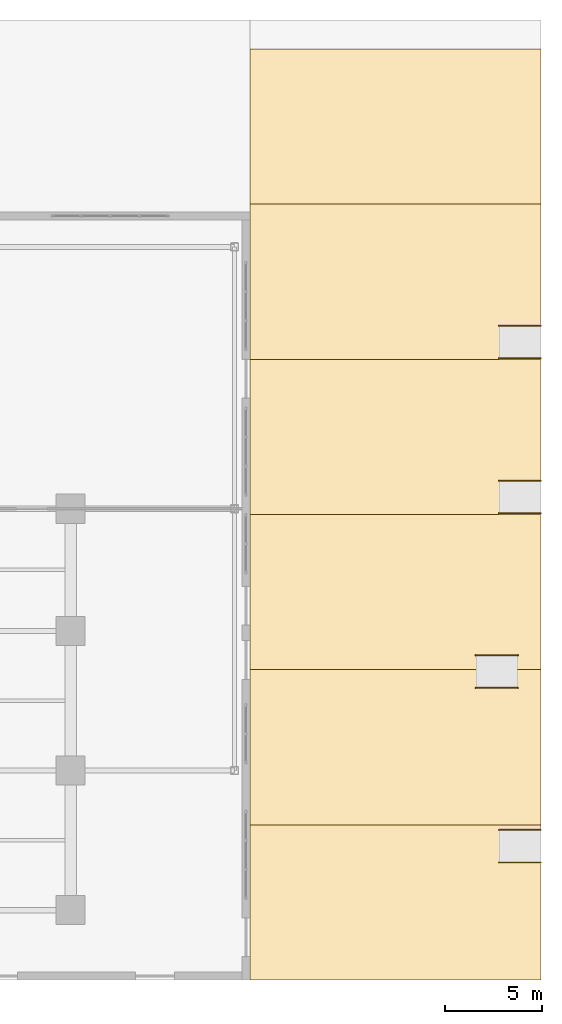
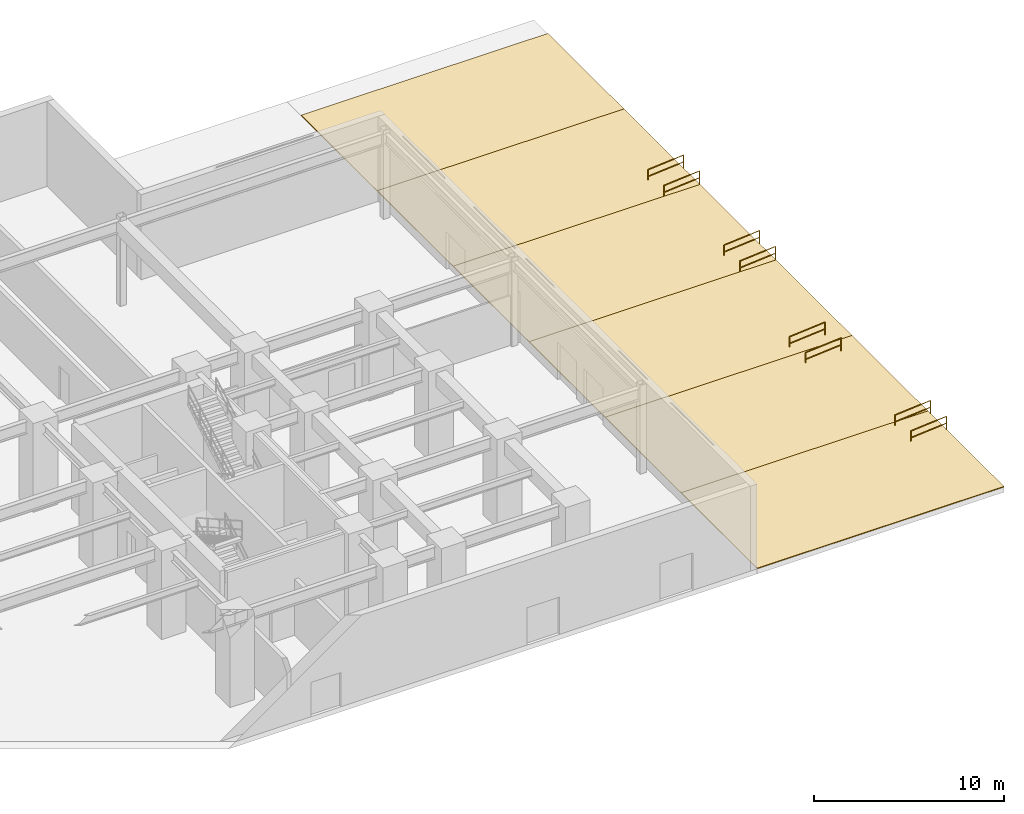
# One storey, part 17 of 18: 8 railings, 6 coverings.
"""IFC4 building model written with IfcOpenShell, lengths in metres."""

from ifc_helpers import new_model, entity, si_unit, converted_unit, direction, frame, origin_with_axes, origin_2d_with_axis, place, context, subcontext, project, spatial, polyline, rectangle, circle, outline, extrude, material, layer, layer_set, type_object, element, save


model = new_model("IFC4")

# Units and contexts
model_context = context("Model", 3, precision=1e-05, world=origin_with_axes(), true_north=direction((0.0, 1.0)))
body_context = subcontext(model_context, "Body", "Model", "MODEL_VIEW")
ifc_project = project(units=[si_unit("LENGTHUNIT", "METRE"), si_unit("AREAUNIT", "SQUARE_METRE"), si_unit("VOLUMEUNIT", "CUBIC_METRE"), converted_unit("PLANEANGLEUNIT", "DEGREE", entity("IfcPlaneAngleMeasure", 0.017453292519943295), si_unit("PLANEANGLEUNIT", "RADIAN"), dimensions=[0, 0, 0, 0, 0, 0, 0]), si_unit("MASSUNIT", "GRAM", prefix="KILO"), si_unit("THERMODYNAMICTEMPERATUREUNIT", "KELVIN")], contexts=[model_context])

# Site, building, storey
site_placement = place(None, origin_with_axes())
site = spatial("IfcSite", under=ifc_project, at=site_placement, CompositionType="ELEMENT")
building_placement = place(site_placement, origin_with_axes())
building = spatial("IfcBuilding", under=site, at=building_placement, Name="Varnlund Millrace Tower", CompositionType="ELEMENT")
storey_placement = place(building_placement, origin_with_axes())
storey = spatial("IfcBuildingStorey", under=building, at=storey_placement, Name="L00", CompositionType="ELEMENT", Elevation=0.0)

# Coverings
ifc_material_1 = material(Name="Cold-climate flamed Minnesota granite paving", Category="masonry")
ifc_layer = layer(ifc_material_1, 0.05, Name="Cold-climate flamed Minnesota granite paving")
ifc_layer_set = layer_set([ifc_layer], Name="Cold-climate flamed Minnesota granite paving")
covering_type = type_object("IfcCoveringType", Name="Type-Plaza-Granite-Paving-50", PredefinedType="USERDEFINED", material=ifc_layer_set)
covering_1_placement = place(storey_placement, origin_with_axes())
element("IfcCovering", 1, at=covering_1_placement, inside=storey, type_object=covering_type, Name="Type-Plaza-Granite-Paving-50", ObjectType="PAVING", PredefinedType="USERDEFINED", context=body_context, shape_type="SweptSolid", body=[
    extrude(outline(polyline([(83.4, 0.0), (83.4, 8.0), (68.4, 8.0), (68.4, 0.0), (83.4, 0.0)])), origin_with_axes(), (0.0, 0.0, 1.0), 0.05),
])
covering_2_placement = place(storey_placement, origin_with_axes())
element("IfcCovering", 2, at=covering_2_placement, inside=storey, type_object=covering_type, Name="Type-Plaza-Granite-Paving-50", ObjectType="PAVING", PredefinedType="USERDEFINED", context=body_context, shape_type="SweptSolid", body=[
    extrude(outline(polyline([(83.4, 8.0), (83.4, 16.0), (68.4, 16.0), (68.4, 8.0), (83.4, 8.0)])), origin_with_axes(), (0.0, 0.0, 1.0), 0.05),
])
covering_3_placement = place(storey_placement, origin_with_axes())
element("IfcCovering", 3, at=covering_3_placement, inside=storey, type_object=covering_type, Name="Type-Plaza-Granite-Paving-50", ObjectType="PAVING", PredefinedType="USERDEFINED", context=body_context, shape_type="SweptSolid", body=[
    extrude(outline(polyline([(83.4, 16.0), (83.4, 24.0), (68.4, 24.0), (68.4, 16.0), (83.4, 16.0)])), origin_with_axes(), (0.0, 0.0, 1.0), 0.05),
])
covering_4_placement = place(storey_placement, origin_with_axes())
element("IfcCovering", 4, at=covering_4_placement, inside=storey, type_object=covering_type, Name="Type-Plaza-Granite-Paving-50", ObjectType="PAVING", PredefinedType="USERDEFINED", context=body_context, shape_type="SweptSolid", body=[
    extrude(outline(polyline([(83.4, 24.0), (83.4, 32.0), (68.4, 32.0), (68.4, 24.0), (83.4, 24.0)])), origin_with_axes(), (0.0, 0.0, 1.0), 0.05),
])
covering_5_placement = place(storey_placement, origin_with_axes())
element("IfcCovering", 5, at=covering_5_placement, inside=storey, type_object=covering_type, Name="Type-Plaza-Granite-Paving-50", ObjectType="PAVING", PredefinedType="USERDEFINED", context=body_context, shape_type="SweptSolid", body=[
    extrude(outline(polyline([(83.4, 32.0), (83.4, 40.0), (68.4, 40.0), (68.4, 32.0), (83.4, 32.0)])), origin_with_axes(), (0.0, 0.0, 1.0), 0.05),
])
covering_6_placement = place(storey_placement, origin_with_axes())
element("IfcCovering", 6, at=covering_6_placement, inside=storey, type_object=covering_type, Name="Type-Plaza-Granite-Paving-50", ObjectType="PAVING", PredefinedType="USERDEFINED", context=body_context, shape_type="SweptSolid", body=[
    extrude(outline(polyline([(83.4, 40.0), (83.4, 48.0), (68.4, 48.0), (68.4, 40.0), (83.4, 40.0)])), origin_with_axes(), (0.0, 0.0, 1.0), 0.05),
])

# Railings
ifc_material_2 = material(Name="Brushed architectural bronze stair handrail", Category="aluminium")
railing_type = type_object("IfcRailingType", Name="Type-StairHandrail-900", PredefinedType="HANDRAIL", material=ifc_material_2)
railing_1_placement = place(storey_placement, origin_with_axes())
element("IfcRailing", 7, at=railing_1_placement, inside=storey, type_object=railing_type, Name="Type-StairHandrail-900", PredefinedType="HANDRAIL", context=body_context, shape_type="SweptSolid", body=[
    extrude(circle(Radius=0.024, at=origin_2d_with_axis()), frame((81.24, 6.06, 0.696083), z_axis=(0.996546, 0.0, 0.083045), x_axis=(0.0, 1.0, 0.0)), (0.0, 0.0, 1.0), 2.167487),
    extrude(circle(Radius=0.024, at=origin_2d_with_axis()), frame((81.24, 6.06, 0.258041), z_axis=(0.996546, 0.0, 0.083045), x_axis=(0.0, 1.0, 0.0)), (0.0, 0.0, 1.0), 2.167487),
    extrude(rectangle(XDim=0.04, YDim=0.04, at=origin_2d_with_axis()), frame((81.24, 6.06, -0.22), z_axis=(0.0, 0.0, 1.0), x_axis=(1.0, 0.0, 0.0)), (0.0, 0.0, 1.0), 0.916083),
    extrude(rectangle(XDim=0.04, YDim=0.04, at=origin_2d_with_axis()), frame((83.4, 6.06, -0.04), z_axis=(0.0, 0.0, 1.0), x_axis=(1.0, 0.0, 0.0)), (0.0, 0.0, 1.0), 0.916083),
])
railing_2_placement = place(storey_placement, origin_with_axes())
element("IfcRailing", 8, at=railing_2_placement, inside=storey, type_object=railing_type, Name="Type-StairHandrail-900", PredefinedType="HANDRAIL", context=body_context, shape_type="SweptSolid", body=[
    extrude(circle(Radius=0.024, at=origin_2d_with_axis()), frame((81.24, 7.74, 0.696083), z_axis=(0.996546, 0.0, 0.083045), x_axis=(0.0, 1.0, 0.0)), (0.0, 0.0, 1.0), 2.167487),
    extrude(circle(Radius=0.024, at=origin_2d_with_axis()), frame((81.24, 7.74, 0.258041), z_axis=(0.996546, 0.0, 0.083045), x_axis=(0.0, 1.0, 0.0)), (0.0, 0.0, 1.0), 2.167487),
    extrude(rectangle(XDim=0.04, YDim=0.04, at=origin_2d_with_axis()), frame((81.24, 7.74, -0.22), z_axis=(0.0, 0.0, 1.0), x_axis=(1.0, 0.0, 0.0)), (0.0, 0.0, 1.0), 0.916083),
    extrude(rectangle(XDim=0.04, YDim=0.04, at=origin_2d_with_axis()), frame((83.4, 7.74, -0.04), z_axis=(0.0, 0.0, 1.0), x_axis=(1.0, 0.0, 0.0)), (0.0, 0.0, 1.0), 0.916083),
])
railing_3_placement = place(storey_placement, origin_with_axes())
element("IfcRailing", 9, at=railing_3_placement, inside=storey, type_object=railing_type, Name="Type-StairHandrail-900", PredefinedType="HANDRAIL", context=body_context, shape_type="SweptSolid", body=[
    extrude(circle(Radius=0.024, at=origin_2d_with_axis()), frame((81.24, 24.06, 0.696083), z_axis=(0.996546, 0.0, 0.083045), x_axis=(0.0, 1.0, 0.0)), (0.0, 0.0, 1.0), 2.167487),
    extrude(circle(Radius=0.024, at=origin_2d_with_axis()), frame((81.24, 24.06, 0.258041), z_axis=(0.996546, 0.0, 0.083045), x_axis=(0.0, 1.0, 0.0)), (0.0, 0.0, 1.0), 2.167487),
    extrude(rectangle(XDim=0.04, YDim=0.04, at=origin_2d_with_axis()), frame((81.24, 24.06, -0.22), z_axis=(0.0, 0.0, 1.0), x_axis=(1.0, 0.0, 0.0)), (0.0, 0.0, 1.0), 0.916083),
    extrude(rectangle(XDim=0.04, YDim=0.04, at=origin_2d_with_axis()), frame((83.4, 24.06, -0.04), z_axis=(0.0, 0.0, 1.0), x_axis=(1.0, 0.0, 0.0)), (0.0, 0.0, 1.0), 0.916083),
])
railing_4_placement = place(storey_placement, origin_with_axes())
element("IfcRailing", 10, at=railing_4_placement, inside=storey, type_object=railing_type, Name="Type-StairHandrail-900", PredefinedType="HANDRAIL", context=body_context, shape_type="SweptSolid", body=[
    extrude(circle(Radius=0.024, at=origin_2d_with_axis()), frame((81.24, 25.74, 0.696083), z_axis=(0.996546, 0.0, 0.083045), x_axis=(0.0, 1.0, 0.0)), (0.0, 0.0, 1.0), 2.167487),
    extrude(circle(Radius=0.024, at=origin_2d_with_axis()), frame((81.24, 25.74, 0.258041), z_axis=(0.996546, 0.0, 0.083045), x_axis=(0.0, 1.0, 0.0)), (0.0, 0.0, 1.0), 2.167487),
    extrude(rectangle(XDim=0.04, YDim=0.04, at=origin_2d_with_axis()), frame((81.24, 25.74, -0.22), z_axis=(0.0, 0.0, 1.0), x_axis=(1.0, 0.0, 0.0)), (0.0, 0.0, 1.0), 0.916083),
    extrude(rectangle(XDim=0.04, YDim=0.04, at=origin_2d_with_axis()), frame((83.4, 25.74, -0.04), z_axis=(0.0, 0.0, 1.0), x_axis=(1.0, 0.0, 0.0)), (0.0, 0.0, 1.0), 0.916083),
])
railing_5_placement = place(storey_placement, origin_with_axes())
element("IfcRailing", 11, at=railing_5_placement, inside=storey, type_object=railing_type, Name="Type-StairHandrail-900", PredefinedType="HANDRAIL", context=body_context, shape_type="SweptSolid", body=[
    extrude(circle(Radius=0.024, at=origin_2d_with_axis()), frame((81.24, 32.06, 0.696083), z_axis=(0.996546, 0.0, 0.083045), x_axis=(0.0, 1.0, 0.0)), (0.0, 0.0, 1.0), 2.167487),
    extrude(circle(Radius=0.024, at=origin_2d_with_axis()), frame((81.24, 32.06, 0.258041), z_axis=(0.996546, 0.0, 0.083045), x_axis=(0.0, 1.0, 0.0)), (0.0, 0.0, 1.0), 2.167487),
    extrude(rectangle(XDim=0.04, YDim=0.04, at=origin_2d_with_axis()), frame((81.24, 32.06, -0.22), z_axis=(0.0, 0.0, 1.0), x_axis=(1.0, 0.0, 0.0)), (0.0, 0.0, 1.0), 0.916083),
    extrude(rectangle(XDim=0.04, YDim=0.04, at=origin_2d_with_axis()), frame((83.4, 32.06, -0.04), z_axis=(0.0, 0.0, 1.0), x_axis=(1.0, 0.0, 0.0)), (0.0, 0.0, 1.0), 0.916083),
])
railing_6_placement = place(storey_placement, origin_with_axes())
element("IfcRailing", 12, at=railing_6_placement, inside=storey, type_object=railing_type, Name="Type-StairHandrail-900", PredefinedType="HANDRAIL", context=body_context, shape_type="SweptSolid", body=[
    extrude(circle(Radius=0.024, at=origin_2d_with_axis()), frame((81.24, 33.74, 0.696083), z_axis=(0.996546, 0.0, 0.083045), x_axis=(0.0, 1.0, 0.0)), (0.0, 0.0, 1.0), 2.167487),
    extrude(circle(Radius=0.024, at=origin_2d_with_axis()), frame((81.24, 33.74, 0.258041), z_axis=(0.996546, 0.0, 0.083045), x_axis=(0.0, 1.0, 0.0)), (0.0, 0.0, 1.0), 2.167487),
    extrude(rectangle(XDim=0.04, YDim=0.04, at=origin_2d_with_axis()), frame((81.24, 33.74, -0.22), z_axis=(0.0, 0.0, 1.0), x_axis=(1.0, 0.0, 0.0)), (0.0, 0.0, 1.0), 0.916083),
    extrude(rectangle(XDim=0.04, YDim=0.04, at=origin_2d_with_axis()), frame((83.4, 33.74, -0.04), z_axis=(0.0, 0.0, 1.0), x_axis=(1.0, 0.0, 0.0)), (0.0, 0.0, 1.0), 0.916083),
])
railing_7_placement = place(storey_placement, origin_with_axes())
element("IfcRailing", 13, at=railing_7_placement, inside=storey, type_object=railing_type, Name="Type-StairHandrail-900", PredefinedType="HANDRAIL", context=body_context, shape_type="SweptSolid", body=[
    extrude(circle(Radius=0.024, at=origin_2d_with_axis()), frame((80.04, 15.06, 0.696083), z_axis=(0.996546, 0.0, 0.083045), x_axis=(0.0, 1.0, 0.0)), (0.0, 0.0, 1.0), 2.167487),
    extrude(circle(Radius=0.024, at=origin_2d_with_axis()), frame((80.04, 15.06, 0.258041), z_axis=(0.996546, 0.0, 0.083045), x_axis=(0.0, 1.0, 0.0)), (0.0, 0.0, 1.0), 2.167487),
    extrude(rectangle(XDim=0.04, YDim=0.04, at=origin_2d_with_axis()), frame((80.04, 15.06, -0.22), z_axis=(0.0, 0.0, 1.0), x_axis=(1.0, 0.0, 0.0)), (0.0, 0.0, 1.0), 0.916083),
    extrude(rectangle(XDim=0.04, YDim=0.04, at=origin_2d_with_axis()), frame((82.2, 15.06, -0.04), z_axis=(0.0, 0.0, 1.0), x_axis=(1.0, 0.0, 0.0)), (0.0, 0.0, 1.0), 0.916083),
])
railing_8_placement = place(storey_placement, origin_with_axes())
element("IfcRailing", 14, at=railing_8_placement, inside=storey, type_object=railing_type, Name="Type-StairHandrail-900", PredefinedType="HANDRAIL", context=body_context, shape_type="SweptSolid", body=[
    extrude(circle(Radius=0.024, at=origin_2d_with_axis()), frame((80.04, 16.74, 0.696083), z_axis=(0.996546, 0.0, 0.083045), x_axis=(0.0, 1.0, 0.0)), (0.0, 0.0, 1.0), 2.167487),
    extrude(circle(Radius=0.024, at=origin_2d_with_axis()), frame((80.04, 16.74, 0.258041), z_axis=(0.996546, 0.0, 0.083045), x_axis=(0.0, 1.0, 0.0)), (0.0, 0.0, 1.0), 2.167487),
    extrude(rectangle(XDim=0.04, YDim=0.04, at=origin_2d_with_axis()), frame((80.04, 16.74, -0.22), z_axis=(0.0, 0.0, 1.0), x_axis=(1.0, 0.0, 0.0)), (0.0, 0.0, 1.0), 0.916083),
    extrude(rectangle(XDim=0.04, YDim=0.04, at=origin_2d_with_axis()), frame((82.2, 16.74, -0.04), z_axis=(0.0, 0.0, 1.0), x_axis=(1.0, 0.0, 0.0)), (0.0, 0.0, 1.0), 0.916083),
])

save(model, "model.ifc")
